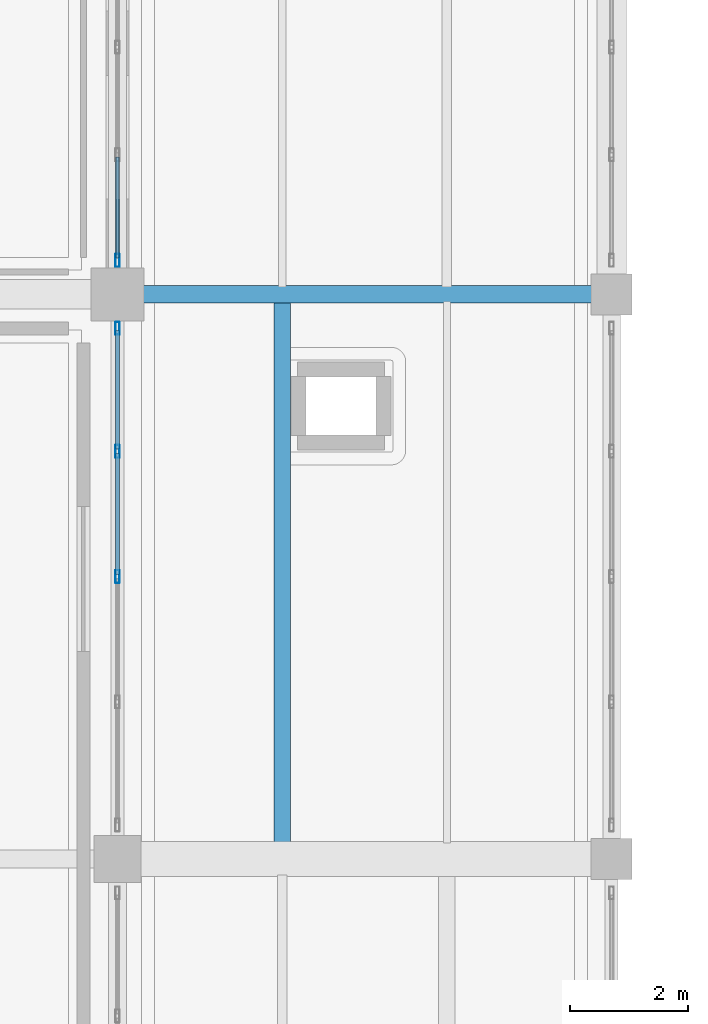
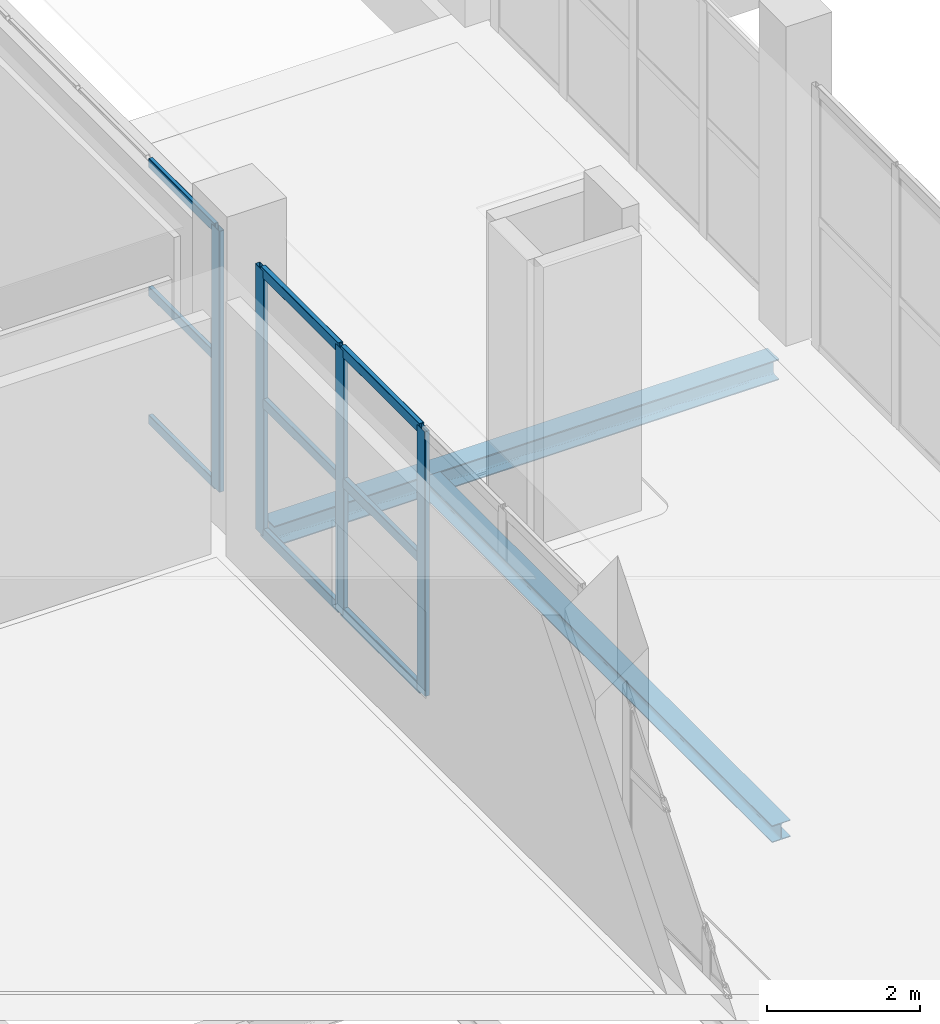
# One storey, part 7 of 66: 13 members, 2 beams, 2 elements without a shape of their own.
"""IFC4 building model written with IfcOpenShell, lengths in metres."""

from ifc_helpers import new_model, si_unit, direction, frame, origin, origin_2d, place, context, subcontext, project, spatial, hollow_rectangle, i_section, extrude, material, layer, layer_set, material_profile, profile_set, type_object, element, aggregate, save


model = new_model("IFC4")

# Units and contexts
model_context = context("Model", 3, precision=1e-05, world=origin(), true_north=direction((0.0, 1.0)))
body_context = subcontext(model_context, "Body", "Model", "MODEL_VIEW")
ifc_project = project(units=[si_unit("LENGTHUNIT", "METRE"), si_unit("AREAUNIT", "SQUARE_METRE"), si_unit("VOLUMEUNIT", "CUBIC_METRE"), si_unit("PLANEANGLEUNIT", "RADIAN"), si_unit("MASSUNIT", "GRAM", prefix="KILO")], contexts=[model_context])

# Site, building, storey
site_placement = place(None, origin())
site = spatial("IfcSite", under=ifc_project, at=site_placement, CompositionType="ELEMENT")
building_placement = place(site_placement, origin())
building = spatial("IfcBuilding", under=site, at=building_placement, Name="Zulmaris Art Gallery", CompositionType="ELEMENT")
storey_placement = place(building_placement, frame((0.0, 0.0, 5.39990234375)))
storey = spatial("IfcBuildingStorey", under=building, at=storey_placement, Name="L01", CompositionType="ELEMENT", Elevation=5.39990234375)

# Beams
ifc_material_1 = material(Name="Steel S355J2", Category="steel")
ifc_material_profile_1 = material_profile(ifc_material_1, i_section(OverallWidth=0.300048828125, OverallDepth=0.330078125, WebThickness=0.009521484375, FlangeThickness=0.0166015625, FilletRadius=0.027099609375, at=origin_2d()), Name="HEA 340")
ifc_profile_set_1 = profile_set([ifc_material_profile_1], Name="Steel S355J2")
beam_type_1 = type_object("IfcBeamType", Name="BEAM-BM08", PredefinedType="BEAM", material=ifc_profile_set_1)
beam_1_placement = place(storey_placement, frame((83.235107421875, 50.39990234375, -0.494873046875), z_axis=(1.0, 0.0, 0.0), x_axis=(0.0, 1.0, 0.0)))
element("IfcBeam", 1, at=beam_1_placement, inside=storey, type_object=beam_type_1, Name="L01 X-girder (82.8..91.2, y=50.4)", PredefinedType="BEAM", context=body_context, shape_type="SweptSolid", body=[
    extrude(i_section(OverallWidth=0.300048828125, OverallDepth=0.330078125, WebThickness=0.009521484375, FlangeThickness=0.0166015625, FilletRadius=0.027099609375, at=origin_2d()), origin(), (0.0, 0.0, 1.0), 7.6298828125),
])
ifc_material_profile_2 = material_profile(ifc_material_1, i_section(OverallWidth=0.280029296875, OverallDepth=0.27001953125, WebThickness=0.008056640625, FlangeThickness=0.012939453125, FilletRadius=0.02392578125, at=origin_2d()), Name="HEA 280")
ifc_profile_set_2 = profile_set([ifc_material_profile_2], Name="Steel S355J2")
beam_type_2 = type_object("IfcBeamType", Name="BEAM-JS04", PredefinedType="JOIST", material=ifc_profile_set_2)
beam_2_placement = place(storey_placement, frame((85.60009765625, 41.074951171875, -0.46484375), z_axis=(0.0, 1.0, 0.0), x_axis=(-1.0, 0.0, 0.0)))
element("IfcBeam", 2, at=beam_2_placement, inside=storey, type_object=beam_type_2, Name="L01 secondary joist at x=85.6", PredefinedType="JOIST", context=body_context, shape_type="SweptSolid", body=[
    extrude(i_section(OverallWidth=0.280029296875, OverallDepth=0.27001953125, WebThickness=0.008056640625, FlangeThickness=0.012939453125, FilletRadius=0.02392578125, at=origin_2d()), origin(), (0.0, 0.0, 1.0), 9.199951171875),
])

# Curtain wall, members
ifc_material_2 = material(Name="Cloister & Court Glazed Curtain Wall", Category="aluminium")
ifc_layer = layer(ifc_material_2, 0.179931640625)
ifc_layer_set = layer_set([ifc_layer], Name="Cloister & Court Glazed Curtain Wall")
curtain_wall_type = type_object("IfcCurtainWallType", Name="CW-CW03", PredefinedType="NOTDEFINED", material=ifc_layer_set)
curtain_wall_1_placement = place(storey_placement, origin())
curtain_wall_1 = element("IfcCurtainWall", 3, at=curtain_wall_1_placement, inside=storey, type_object=curtain_wall_type, Name="L01 curtain wall 74", PredefinedType="NOTDEFINED")
ifc_material_3 = material(Name="Anodised Bronze Aluminium", Category="aluminium")
ifc_material_profile_3 = material_profile(ifc_material_3, hollow_rectangle(XDim=0.074951171875, YDim=0.219970703125, WallThickness=0.0048828125, InnerFilletRadius=0.007568359375, OuterFilletRadius=0.012451171875, at=origin_2d()), Name="ALU 75x220x5")
ifc_profile_set_3 = profile_set([ifc_material_profile_3], Name="Anodised Bronze Aluminium")
member_type_1 = type_object("IfcMemberType", Name="CWMUL-02", PredefinedType="MULLION", material=ifc_profile_set_3)
member_1_placement = place(storey_placement, frame((82.800048828125, 45.60009765625, 0.0), z_axis=(0.0, 0.0, 1.0), x_axis=(-1.0, 0.0, 0.0)))
member_1 = element("IfcMember", 4, at=member_1_placement, type_object=member_type_1, Name="CW03 mullion 3", PredefinedType="MULLION", context=body_context, shape_type="SweptSolid", body=[
    extrude(hollow_rectangle(XDim=0.074951171875, YDim=0.219970703125, WallThickness=0.0048828125, InnerFilletRadius=0.007568359375, OuterFilletRadius=0.012451171875, at=origin_2d()), origin(), (0.0, 0.0, 1.0), 4.22998046875),
])
member_2_placement = place(storey_placement, frame((82.800048828125, 47.72998046875, 0.0), z_axis=(0.0, 0.0, 1.0), x_axis=(-1.0, 0.0, 0.0)))
member_2 = element("IfcMember", 5, at=member_2_placement, type_object=member_type_1, Name="CW03 mullion 4", PredefinedType="MULLION", context=body_context, shape_type="SweptSolid", body=[
    extrude(hollow_rectangle(XDim=0.074951171875, YDim=0.219970703125, WallThickness=0.0048828125, InnerFilletRadius=0.007568359375, OuterFilletRadius=0.012451171875, at=origin_2d()), origin(), (0.0, 0.0, 1.0), 4.22998046875),
])
member_3_placement = place(storey_placement, frame((82.800048828125, 49.822509765625, 0.0), z_axis=(0.0, 0.0, 1.0), x_axis=(-1.0, 0.0, 0.0)))
member_3 = element("IfcMember", 6, at=member_3_placement, type_object=member_type_1, Name="CW03 mullion 5", PredefinedType="MULLION", context=body_context, shape_type="SweptSolid", body=[
    extrude(hollow_rectangle(XDim=0.074951171875, YDim=0.219970703125, WallThickness=0.0048828125, InnerFilletRadius=0.007568359375, OuterFilletRadius=0.012451171875, at=origin_2d()), origin(), (0.0, 0.0, 1.0), 4.22998046875),
])

curtain_wall_2_placement = place(storey_placement, origin())
curtain_wall_2 = element("IfcCurtainWall", 7, at=curtain_wall_2_placement, inside=storey, type_object=curtain_wall_type, Name="L01 curtain wall 76", PredefinedType="NOTDEFINED")
member_4_placement = place(storey_placement, frame((82.800048828125, 50.9775390625, 0.0), z_axis=(0.0, 0.0, 1.0), x_axis=(-1.0, 0.0, 0.0)))
member_4 = element("IfcMember", 8, at=member_4_placement, type_object=member_type_1, Name="CW03 mullion 1", PredefinedType="MULLION", context=body_context, shape_type="SweptSolid", body=[
    extrude(hollow_rectangle(XDim=0.074951171875, YDim=0.219970703125, WallThickness=0.0048828125, InnerFilletRadius=0.007568359375, OuterFilletRadius=0.012451171875, at=origin_2d()), origin(), (0.0, 0.0, 1.0), 4.170166015625),
])
ifc_material_profile_4 = material_profile(ifc_material_3, hollow_rectangle(XDim=0.06494140625, YDim=0.14990234375, WallThickness=0.00390625, InnerFilletRadius=0.006103515625, OuterFilletRadius=0.010009765625, at=origin_2d()), Name="ALU 65x150x4")
ifc_profile_set_4 = profile_set([ifc_material_profile_4], Name="Anodised Bronze Aluminium")
member_type_2 = type_object("IfcMemberType", Name="CWTRN-01", PredefinedType="USERDEFINED", material=ifc_profile_set_4)
member_5_placement = place(storey_placement, frame((82.800048828125, 51.014892578125, 0.03759765625), z_axis=(0.0, 1.0, 0.0), x_axis=(-1.0, 0.0, 0.0)))
member_5 = element("IfcMember", 9, at=member_5_placement, type_object=member_type_2, Name="CW03 transom 1.1", ObjectType="TRANSOM", PredefinedType="USERDEFINED", context=body_context, shape_type="SweptSolid", body=[
    extrude(hollow_rectangle(XDim=0.06494140625, YDim=0.14990234375, WallThickness=0.00390625, InnerFilletRadius=0.006103515625, OuterFilletRadius=0.010009765625, at=origin_2d()), origin(), (0.0, 0.0, 1.0), 1.717529296875),
])
member_6_placement = place(storey_placement, frame((82.800048828125, 51.014892578125, 2.085205078125), z_axis=(0.0, 1.0, 0.0), x_axis=(-1.0, 0.0, 0.0)))
member_6 = element("IfcMember", 10, at=member_6_placement, type_object=member_type_2, Name="CW03 transom 1.2", ObjectType="TRANSOM", PredefinedType="USERDEFINED", context=body_context, shape_type="SweptSolid", body=[
    extrude(hollow_rectangle(XDim=0.06494140625, YDim=0.14990234375, WallThickness=0.00390625, InnerFilletRadius=0.006103515625, OuterFilletRadius=0.010009765625, at=origin_2d()), origin(), (0.0, 0.0, 1.0), 1.717529296875),
])
member_7_placement = place(storey_placement, frame((82.800048828125, 51.014892578125, 4.132568359375), z_axis=(0.0, 1.0, 0.0), x_axis=(-1.0, 0.0, 0.0)))
member_7 = element("IfcMember", 11, at=member_7_placement, type_object=member_type_2, Name="CW03 transom 1.3", ObjectType="TRANSOM", PredefinedType="USERDEFINED", context=body_context, shape_type="SweptSolid", body=[
    extrude(hollow_rectangle(XDim=0.06494140625, YDim=0.14990234375, WallThickness=0.00390625, InnerFilletRadius=0.006103515625, OuterFilletRadius=0.010009765625, at=origin_2d()), origin(), (0.0, 0.0, 1.0), 1.717529296875),
])
aggregate(curtain_wall_2, [member_4, member_5, member_6, member_7])

# Member
ifc_material_profile_5 = material_profile(ifc_material_3, hollow_rectangle(XDim=0.074951171875, YDim=0.159912109375, WallThickness=0.00390625, InnerFilletRadius=0.006103515625, OuterFilletRadius=0.010009765625, at=origin_2d()), Name="ALU 75x160x4")
ifc_profile_set_5 = profile_set([ifc_material_profile_5], Name="Anodised Bronze Aluminium")
member_type_3 = type_object("IfcMemberType", Name="CWTRN-02", PredefinedType="USERDEFINED", material=ifc_profile_set_5)
member_8_placement = place(storey_placement, frame((82.800048828125, 45.637451171875, 0.03759765625), z_axis=(0.0, 1.0, 0.0), x_axis=(-1.0, 0.0, 0.0)))
member_8 = element("IfcMember", 12, at=member_8_placement, type_object=member_type_3, Name="CW03 transom 3.1", ObjectType="TRANSOM", PredefinedType="USERDEFINED", context=body_context, shape_type="SweptSolid", body=[
    extrude(hollow_rectangle(XDim=0.074951171875, YDim=0.159912109375, WallThickness=0.00390625, InnerFilletRadius=0.006103515625, OuterFilletRadius=0.010009765625, at=origin_2d()), origin(), (0.0, 0.0, 1.0), 2.054931640625),
])

member_9_placement = place(storey_placement, frame((82.800048828125, 45.637451171875, 2.114990234375), z_axis=(0.0, 1.0, 0.0), x_axis=(-1.0, 0.0, 0.0)))
member_9 = element("IfcMember", 13, at=member_9_placement, type_object=member_type_3, Name="CW03 transom 3.2", ObjectType="TRANSOM", PredefinedType="USERDEFINED", context=body_context, shape_type="SweptSolid", body=[
    extrude(hollow_rectangle(XDim=0.074951171875, YDim=0.159912109375, WallThickness=0.00390625, InnerFilletRadius=0.006103515625, OuterFilletRadius=0.010009765625, at=origin_2d()), origin(), (0.0, 0.0, 1.0), 2.054931640625),
])

member_10_placement = place(storey_placement, frame((82.800048828125, 45.637451171875, 4.192626953125), z_axis=(0.0, 1.0, 0.0), x_axis=(-1.0, 0.0, 0.0)))
member_10 = element("IfcMember", 14, at=member_10_placement, type_object=member_type_3, Name="CW03 transom 3.3", ObjectType="TRANSOM", PredefinedType="USERDEFINED", context=body_context, shape_type="SweptSolid", body=[
    extrude(hollow_rectangle(XDim=0.074951171875, YDim=0.159912109375, WallThickness=0.00390625, InnerFilletRadius=0.006103515625, OuterFilletRadius=0.010009765625, at=origin_2d()), origin(), (0.0, 0.0, 1.0), 2.054931640625),
])

member_11_placement = place(storey_placement, frame((82.800048828125, 47.767578125, 0.03759765625), z_axis=(0.0, 1.0, 0.0), x_axis=(-1.0, 0.0, 0.0)))
member_11 = element("IfcMember", 15, at=member_11_placement, type_object=member_type_3, Name="CW03 transom 4.1", ObjectType="TRANSOM", PredefinedType="USERDEFINED", context=body_context, shape_type="SweptSolid", body=[
    extrude(hollow_rectangle(XDim=0.074951171875, YDim=0.159912109375, WallThickness=0.00390625, InnerFilletRadius=0.006103515625, OuterFilletRadius=0.010009765625, at=origin_2d()), origin(), (0.0, 0.0, 1.0), 2.017333984375),
])

member_12_placement = place(storey_placement, frame((82.800048828125, 47.767578125, 2.114990234375), z_axis=(0.0, 1.0, 0.0), x_axis=(-1.0, 0.0, 0.0)))
member_12 = element("IfcMember", 16, at=member_12_placement, type_object=member_type_3, Name="CW03 transom 4.2", ObjectType="TRANSOM", PredefinedType="USERDEFINED", context=body_context, shape_type="SweptSolid", body=[
    extrude(hollow_rectangle(XDim=0.074951171875, YDim=0.159912109375, WallThickness=0.00390625, InnerFilletRadius=0.006103515625, OuterFilletRadius=0.010009765625, at=origin_2d()), origin(), (0.0, 0.0, 1.0), 2.017333984375),
])

member_13_placement = place(storey_placement, frame((82.800048828125, 47.767578125, 4.192626953125), z_axis=(0.0, 1.0, 0.0), x_axis=(-1.0, 0.0, 0.0)))
member_13 = element("IfcMember", 17, at=member_13_placement, type_object=member_type_3, Name="CW03 transom 4.3", ObjectType="TRANSOM", PredefinedType="USERDEFINED", context=body_context, shape_type="SweptSolid", body=[
    extrude(hollow_rectangle(XDim=0.074951171875, YDim=0.159912109375, WallThickness=0.00390625, InnerFilletRadius=0.006103515625, OuterFilletRadius=0.010009765625, at=origin_2d()), origin(), (0.0, 0.0, 1.0), 2.017333984375),
])

aggregate(curtain_wall_1, [member_1, member_2, member_3, member_8, member_9, member_10, member_11, member_12, member_13])

save(model, "model.ifc")
